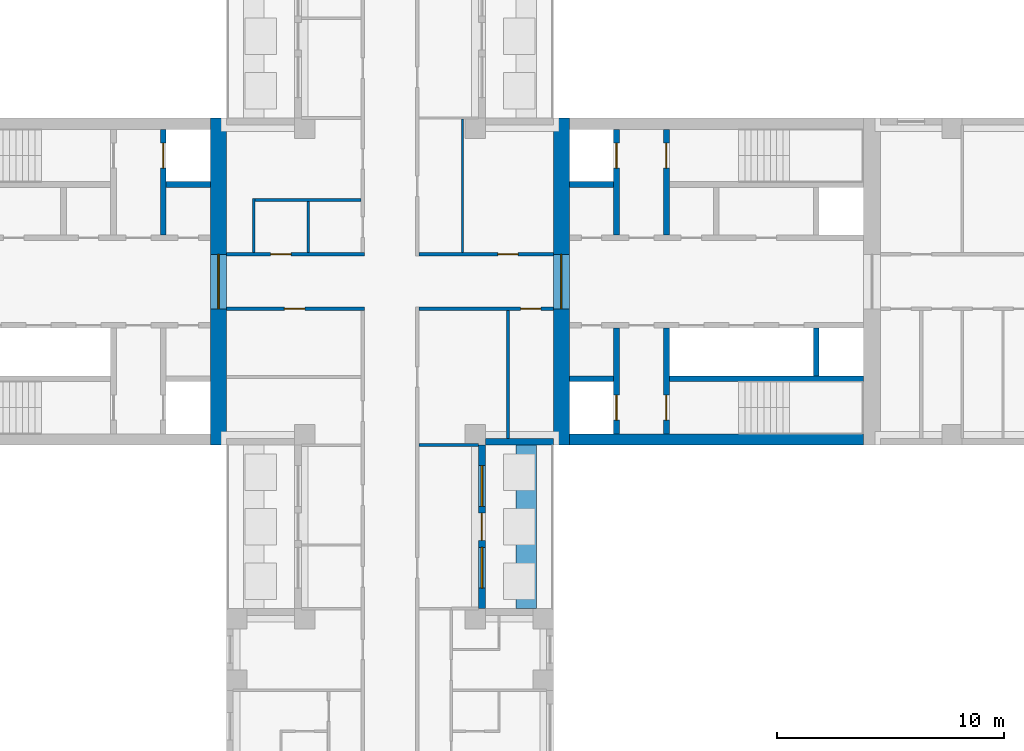
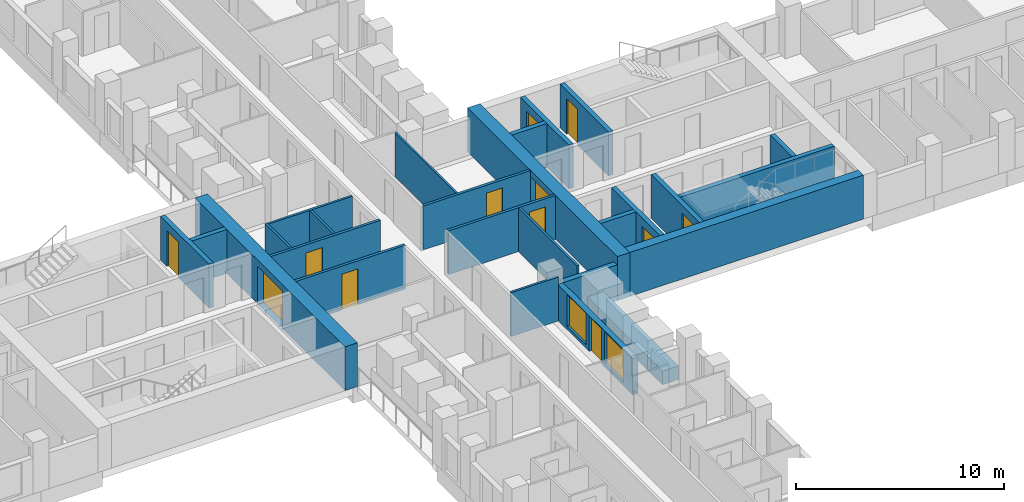
# One storey, part 8 of 16: 26 walls, 12 doors, 2 windows, 14 openings.
"""IFC4 building model written with IfcOpenShell, lengths in metres."""

from ifc_helpers import new_model, si_unit, direction, frame, frame_2d, origin, place, context, subcontext, project, spatial, rectangle, extrude, material, layer, layer_set, type_object, element, fill, save


model = new_model("IFC4")

# Units and contexts
model_context = context("Model", 3, precision=1e-05, world=origin(), true_north=direction((0.0, 1.0)))
body_context = subcontext(model_context, "Body", "Model", "MODEL_VIEW")
ifc_project = project(units=[si_unit("LENGTHUNIT", "METRE"), si_unit("AREAUNIT", "SQUARE_METRE"), si_unit("VOLUMEUNIT", "CUBIC_METRE"), si_unit("PLANEANGLEUNIT", "RADIAN"), si_unit("MASSUNIT", "GRAM", prefix="KILO")], contexts=[model_context])

# Site, building, storey
site_placement = place(None, origin())
site = spatial("IfcSite", under=ifc_project, at=site_placement, CompositionType="ELEMENT")
building_placement = place(site_placement, origin())
building = spatial("IfcBuilding", under=site, at=building_placement, Name="Fustian Cross Tower", CompositionType="ELEMENT")
storey_placement = place(building_placement, frame((0.0, 0.0, 26.699951171875)))
storey = spatial("IfcBuildingStorey", under=building, at=storey_placement, Name="L07", CompositionType="ELEMENT", Elevation=26.699951171875)

# Wall, opening, door
ifc_material_1 = material(Name="Plasterboard on steel stud", Category="steel")
ifc_layer_1 = layer(ifc_material_1, 0.14990234375)
ifc_layer_set_1 = layer_set([ifc_layer_1], Name="Plasterboard on steel stud")
wall_type_1 = type_object("IfcWallType", Name="COMPARTMENT WALL 150 EI 60", PredefinedType="PARTITIONING", material=ifc_layer_set_1)
wall_1_placement = place(storey_placement, frame((-7.199951171875, -1.199951171875, 0.0), z_axis=(0.0, 0.0, 1.0), x_axis=(1.0, 0.0, 0.0)))
wall_1 = element("IfcWall", 1, at=wall_1_placement, inside=storey, type_object=wall_type_1, Name="Partition 15", PredefinedType="PARTITIONING", context=body_context, shape_type="SweptSolid", body=[
    extrude(rectangle(XDim=6.074951171875, YDim=0.14990234375, at=frame_2d((3.03759765625, 0.0))), origin(), (0.0, 0.0, 1.0), 2.574951171875),
])
opening_1_placement = place(wall_1_placement, frame((2.550048828125, 0.0, 0.0)))
opening_1 = element("IfcOpeningElement", 2, at=opening_1_placement, cuts=wall_1, Name="Opening D05008", PredefinedType="OPENING", context=body_context, shape_type="SweptSolid", body=[
    extrude(rectangle(XDim=0.89990234375, YDim=2.10009765625, at=frame_2d((0.449951171875, 1.050048828125))), frame((0.0, 0.0849609375, 0.0), z_axis=(0.0, -1.0, 0.0), x_axis=(1.0, 0.0, 0.0)), (0.0, 0.0, 1.0), 0.169921875),
])
ifc_material_2 = material(Name="Timber fire door set", Category="wood")
door_type_1 = type_object("IfcDoorType", Name="FIRE SWING DOOR 900 FD30S", OperationType="SINGLE_SWING_LEFT", PredefinedType="DOOR", material=ifc_material_2)
door_1_placement = place(opening_1_placement, frame((0.89990234375, 0.0, 0.0), z_axis=(0.0, 0.0, 1.0), x_axis=(-1.0, 0.0, 0.0)))
door_1 = element("IfcDoor", 3, at=door_1_placement, inside=storey, type_object=door_type_1, Name="Door D05008", OperationType="SINGLE_SWING_RIGHT", OverallHeight=2.10009765625, OverallWidth=0.89990234375, PredefinedType="DOOR", context=body_context, shape_type="SweptSolid", body=[
    extrude(rectangle(XDim=0.89990234375, YDim=2.10009765625, at=frame_2d((0.449951171875, 1.050048828125))), frame((0.0, 0.02490234375, 0.0), z_axis=(0.0, -1.0, 0.0), x_axis=(1.0, 0.0, 0.0)), (0.0, 0.0, 1.0), 0.050048828125),
])
fill(opening_1, door_1)

wall_2_placement = place(storey_placement, frame((-7.199951171875, 1.199951171875, 0.0), z_axis=(0.0, 0.0, 1.0), x_axis=(1.0, 0.0, 0.0)))
wall_2 = element("IfcWall", 4, at=wall_2_placement, inside=storey, type_object=wall_type_1, Name="Partition 16", PredefinedType="PARTITIONING", context=body_context, shape_type="SweptSolid", body=[
    extrude(rectangle(XDim=6.074951171875, YDim=0.14990234375, at=frame_2d((3.03759765625, 0.0))), origin(), (0.0, 0.0, 1.0), 2.574951171875),
])
opening_2_placement = place(wall_2_placement, frame((1.949951171875, 0.0, 0.0)))
opening_2 = element("IfcOpeningElement", 5, at=opening_2_placement, cuts=wall_2, Name="Opening D05004", PredefinedType="OPENING", context=body_context, shape_type="SweptSolid", body=[
    extrude(rectangle(XDim=0.89990234375, YDim=2.10009765625, at=frame_2d((0.449951171875, 1.050048828125))), frame((0.0, 0.0849609375, 0.0), z_axis=(0.0, -1.0, 0.0), x_axis=(1.0, 0.0, 0.0)), (0.0, 0.0, 1.0), 0.169921875),
])
door_2_placement = place(opening_2_placement, origin())
door_2 = element("IfcDoor", 6, at=door_2_placement, inside=storey, type_object=door_type_1, Name="Door D05004", OperationType="SINGLE_SWING_LEFT", OverallHeight=2.10009765625, OverallWidth=0.89990234375, PredefinedType="DOOR", context=body_context, shape_type="SweptSolid", body=[
    extrude(rectangle(XDim=0.89990234375, YDim=2.10009765625, at=frame_2d((0.449951171875, 1.050048828125))), frame((0.0, 0.02490234375, 0.0), z_axis=(0.0, -1.0, 0.0), x_axis=(1.0, 0.0, 0.0)), (0.0, 0.0, 1.0), 0.050048828125),
])
fill(opening_2, door_2)

wall_3_placement = place(storey_placement, frame((1.27490234375, -1.199951171875, 0.0), z_axis=(0.0, 0.0, 1.0), x_axis=(1.0, 0.0, 0.0)))
wall_3 = element("IfcWall", 7, at=wall_3_placement, inside=storey, type_object=wall_type_1, Name="Partition 57", PredefinedType="PARTITIONING", context=body_context, shape_type="SweptSolid", body=[
    extrude(rectangle(XDim=5.925048828125, YDim=0.14990234375, at=frame_2d((2.96240234375, 0.0))), origin(), (0.0, 0.0, 1.0), 2.574951171875),
])
opening_3_placement = place(wall_3_placement, frame((4.47509765625, 0.0, 0.0)))
opening_3 = element("IfcOpeningElement", 8, at=opening_3_placement, cuts=wall_3, Name="Opening D05007", PredefinedType="OPENING", context=body_context, shape_type="SweptSolid", body=[
    extrude(rectangle(XDim=0.89990234375, YDim=2.10009765625, at=frame_2d((0.449951171875, 1.050048828125))), frame((0.0, 0.0849609375, 0.0), z_axis=(0.0, -1.0, 0.0), x_axis=(1.0, 0.0, 0.0)), (0.0, 0.0, 1.0), 0.169921875),
])
door_3_placement = place(opening_3_placement, frame((0.89990234375, 0.0, 0.0), z_axis=(0.0, 0.0, 1.0), x_axis=(-1.0, 0.0, 0.0)))
door_3 = element("IfcDoor", 9, at=door_3_placement, inside=storey, type_object=door_type_1, Name="Door D05007", OperationType="SINGLE_SWING_RIGHT", OverallHeight=2.10009765625, OverallWidth=0.89990234375, PredefinedType="DOOR", context=body_context, shape_type="SweptSolid", body=[
    extrude(rectangle(XDim=0.89990234375, YDim=2.10009765625, at=frame_2d((0.449951171875, 1.050048828125))), frame((0.0, 0.02490234375, 0.0), z_axis=(0.0, -1.0, 0.0), x_axis=(1.0, 0.0, 0.0)), (0.0, 0.0, 1.0), 0.050048828125),
])
fill(opening_3, door_3)

wall_4_placement = place(storey_placement, frame((1.27490234375, 1.199951171875, 0.0), z_axis=(0.0, 0.0, 1.0), x_axis=(1.0, 0.0, 0.0)))
wall_4 = element("IfcWall", 10, at=wall_4_placement, inside=storey, type_object=wall_type_1, Name="Partition 59", PredefinedType="PARTITIONING", context=body_context, shape_type="SweptSolid", body=[
    extrude(rectangle(XDim=5.925048828125, YDim=0.14990234375, at=frame_2d((2.96240234375, 0.0))), origin(), (0.0, 0.0, 1.0), 2.574951171875),
])
opening_4_placement = place(wall_4_placement, frame((3.47509765625, 0.0, 0.0)))
opening_4 = element("IfcOpeningElement", 11, at=opening_4_placement, cuts=wall_4, Name="Opening D05002", PredefinedType="OPENING", context=body_context, shape_type="SweptSolid", body=[
    extrude(rectangle(XDim=0.89990234375, YDim=2.10009765625, at=frame_2d((0.449951171875, 1.050048828125))), frame((0.0, 0.0849609375, 0.0), z_axis=(0.0, -1.0, 0.0), x_axis=(1.0, 0.0, 0.0)), (0.0, 0.0, 1.0), 0.169921875),
])
door_4_placement = place(opening_4_placement, origin())
door_4 = element("IfcDoor", 12, at=door_4_placement, inside=storey, type_object=door_type_1, Name="Door D05002", OperationType="SINGLE_SWING_LEFT", OverallHeight=2.10009765625, OverallWidth=0.89990234375, PredefinedType="DOOR", context=body_context, shape_type="SweptSolid", body=[
    extrude(rectangle(XDim=0.89990234375, YDim=2.10009765625, at=frame_2d((0.449951171875, 1.050048828125))), frame((0.0, 0.02490234375, 0.0), z_axis=(0.0, -1.0, 0.0), x_axis=(1.0, 0.0, 0.0)), (0.0, 0.0, 1.0), 0.050048828125),
])
fill(opening_4, door_4)

ifc_material_3 = material(Name="Concrete C80/95", Category="concrete")
ifc_layer_2 = layer(ifc_material_3, 0.699951171875)
ifc_layer_set_2 = layer_set([ifc_layer_2], Name="Concrete C80/95")
wall_type_2 = type_object("IfcWallType", Name="CORE END WALL 700 C80/95", PredefinedType="SHEAR", material=ifc_layer_set_2)
wall_5_placement = place(storey_placement, frame((7.550048828125, -7.199951171875, 0.0), z_axis=(0.0, 0.0, 1.0), x_axis=(0.0, 1.0, 0.0)))
wall_5 = element("IfcWall", 13, at=wall_5_placement, inside=storey, type_object=wall_type_2, Name="Core end wall", PredefinedType="SHEAR", context=body_context, shape_type="SweptSolid", body=[
    extrude(rectangle(XDim=14.39990234375, YDim=0.699951171875, at=frame_2d((7.199951171875, 0.0))), origin(), (0.0, 0.0, 1.0), 2.574951171875),
])
opening_5_placement = place(wall_5_placement, frame((6.0, 0.0, 0.0)))
opening_5 = element("IfcOpeningElement", 14, at=opening_5_placement, cuts=wall_5, Name="Opening CD-05-12", PredefinedType="OPENING", context=body_context, shape_type="SweptSolid", body=[
    extrude(rectangle(XDim=2.39990234375, YDim=2.199951171875, at=frame_2d((1.199951171875, 1.10009765625))), frame((0.0, 0.35986328125, 0.0), z_axis=(0.0, -1.0, 0.0), x_axis=(1.0, 0.0, 0.0)), (0.0, 0.0, 1.0), 0.719970703125),
])
ifc_material_4 = material(Name="Steel", Category="steel")
door_type_2 = type_object("IfcDoorType", Name="FIRE DOOR FD30S DOUBLE 2400X2200", OperationType="DOUBLE_DOOR_DOUBLE_SWING", PredefinedType="DOOR", material=ifc_material_4)
door_5_placement = place(opening_5_placement, frame((2.39990234375, 0.0, 0.0), z_axis=(0.0, 0.0, 1.0), x_axis=(-1.0, 0.0, 0.0)))
door_5 = element("IfcDoor", 15, at=door_5_placement, inside=storey, type_object=door_type_2, Name="Core door CD-05-12", OperationType="DOUBLE_DOOR_DOUBLE_SWING", OverallHeight=2.199951171875, OverallWidth=2.39990234375, PredefinedType="DOOR", context=body_context, shape_type="SweptSolid", body=[
    extrude(rectangle(XDim=2.39990234375, YDim=2.199951171875, at=frame_2d((1.199951171875, 1.10009765625))), frame((0.0, 0.02490234375, 0.0), z_axis=(0.0, -1.0, 0.0), x_axis=(1.0, 0.0, 0.0)), (0.0, 0.0, 1.0), 0.050048828125),
])
fill(opening_5, door_5)

wall_6_placement = place(storey_placement, frame((-7.550048828125, -7.199951171875, 0.0), z_axis=(0.0, 0.0, 1.0), x_axis=(0.0, 1.0, 0.0)))
wall_6 = element("IfcWall", 16, at=wall_6_placement, inside=storey, type_object=wall_type_2, Name="Core end wall", PredefinedType="SHEAR", context=body_context, shape_type="SweptSolid", body=[
    extrude(rectangle(XDim=14.39990234375, YDim=0.699951171875, at=frame_2d((7.199951171875, 0.0))), origin(), (0.0, 0.0, 1.0), 2.574951171875),
])
opening_6_placement = place(wall_6_placement, frame((6.0, 0.0, 0.0)))
opening_6 = element("IfcOpeningElement", 17, at=opening_6_placement, cuts=wall_6, Name="Opening CD-05-27", PredefinedType="OPENING", context=body_context, shape_type="SweptSolid", body=[
    extrude(rectangle(XDim=2.39990234375, YDim=2.199951171875, at=frame_2d((1.199951171875, 1.10009765625))), frame((0.0, 0.35986328125, 0.0), z_axis=(0.0, -1.0, 0.0), x_axis=(1.0, 0.0, 0.0)), (0.0, 0.0, 1.0), 0.719970703125),
])
door_6_placement = place(opening_6_placement, origin())
door_6 = element("IfcDoor", 18, at=door_6_placement, inside=storey, type_object=door_type_2, Name="Core door CD-05-27", OperationType="DOUBLE_DOOR_DOUBLE_SWING", OverallHeight=2.199951171875, OverallWidth=2.39990234375, PredefinedType="DOOR", context=body_context, shape_type="SweptSolid", body=[
    extrude(rectangle(XDim=2.39990234375, YDim=2.199951171875, at=frame_2d((1.199951171875, 1.10009765625))), frame((0.0, 0.02490234375, 0.0), z_axis=(0.0, -1.0, 0.0), x_axis=(1.0, 0.0, 0.0)), (0.0, 0.0, 1.0), 0.050048828125),
])
fill(opening_6, door_6)

# Walls
ifc_material_5 = material(Name="Concrete C80/95", Category="concrete")
ifc_layer_3 = layer(ifc_material_5, 0.5)
ifc_layer_set_3 = layer_set([ifc_layer_3], Name="Concrete C80/95")
wall_type_3 = type_object("IfcWallType", Name="CORE FACADE WALL 500 C80/95", PredefinedType="SHEAR", material=ifc_layer_set_3)
wall_7_placement = place(storey_placement, frame((7.89990234375, -6.949951171875, 0.0), z_axis=(0.0, 0.0, 1.0), x_axis=(1.0, 0.0, 0.0)))
element("IfcWall", 19, at=wall_7_placement, inside=storey, type_object=wall_type_3, Name="Core facade wall", PredefinedType="SHEAR", context=body_context, shape_type="SweptSolid", body=[
    extrude(rectangle(XDim=12.9501953125, YDim=0.5, at=frame_2d((6.47509765625, 0.0))), origin(), (0.0, 0.0, 1.0), 2.574951171875),
])
ifc_material_6 = material(Name="Concrete C50/60", Category="concrete")
ifc_layer_4 = layer(ifc_material_6, 0.25)
ifc_layer_set_4 = layer_set([ifc_layer_4], Name="Concrete C50/60")
wall_type_4 = type_object("IfcWallType", Name="CORE SHAFT WALL 250 C50/60", PredefinedType="SHEAR", material=ifc_layer_set_4)
wall_8_placement = place(storey_placement, frame((7.89990234375, 4.27490234375, 0.0), z_axis=(0.0, 0.0, 1.0), x_axis=(1.0, 0.0, 0.0)))
element("IfcWall", 20, at=wall_8_placement, inside=storey, type_object=wall_type_4, Name="Core shaft wall", PredefinedType="SHEAR", context=body_context, shape_type="SweptSolid", body=[
    extrude(rectangle(XDim=1.9501953125, YDim=0.25, at=frame_2d((0.97509765625, 0.0))), origin(), (0.0, 0.0, 1.0), 2.574951171875),
])

# Wall, opening, door
wall_9_placement = place(storey_placement, frame((9.97509765625, 2.050048828125, 0.0), z_axis=(0.0, 0.0, 1.0), x_axis=(0.0, 1.0, 0.0)))
wall_9 = element("IfcWall", 21, at=wall_9_placement, inside=storey, type_object=wall_type_4, Name="Core shaft wall", PredefinedType="SHEAR", context=body_context, shape_type="SweptSolid", body=[
    extrude(rectangle(XDim=4.64990234375, YDim=0.25, at=frame_2d((2.324951171875, 0.0))), origin(), (0.0, 0.0, 1.0), 2.574951171875),
])
opening_7_placement = place(wall_9_placement, frame((2.949951171875, 0.0, 0.0)))
opening_7 = element("IfcOpeningElement", 22, at=opening_7_placement, cuts=wall_9, Name="Opening LD", PredefinedType="OPENING", context=body_context, shape_type="SweptSolid", body=[
    extrude(rectangle(XDim=1.10009765625, YDim=2.10009765625, at=frame_2d((0.550048828125, 1.050048828125))), frame((0.0, 0.135009765625, 0.0), z_axis=(0.0, -1.0, 0.0), x_axis=(1.0, 0.0, 0.0)), (0.0, 0.0, 1.0), 0.27001953125),
])
ifc_material_7 = material(Name="Stainless steel", Category="steel")
door_type_3 = type_object("IfcDoorType", Name="LIFT LANDING DOOR 1100X2100", OperationType="SLIDING_TO_LEFT", PredefinedType="DOOR", material=ifc_material_7)
door_7_placement = place(opening_7_placement, origin())
door_7 = element("IfcDoor", 23, at=door_7_placement, inside=storey, type_object=door_type_3, Name="Landing door FL1", OperationType="SLIDING_TO_LEFT", OverallHeight=2.10009765625, OverallWidth=1.10009765625, PredefinedType="DOOR", context=body_context, shape_type="SweptSolid", body=[
    extrude(rectangle(XDim=1.10009765625, YDim=2.10009765625, at=frame_2d((0.550048828125, 1.050048828125))), frame((0.0, 0.02490234375, 0.0), z_axis=(0.0, -1.0, 0.0), x_axis=(1.0, 0.0, 0.0)), (0.0, 0.0, 1.0), 0.050048828125),
])
fill(opening_7, door_7)

wall_10_placement = place(storey_placement, frame((12.175048828125, 2.050048828125, 0.0), z_axis=(0.0, 0.0, 1.0), x_axis=(0.0, 1.0, 0.0)))
wall_10 = element("IfcWall", 24, at=wall_10_placement, inside=storey, type_object=wall_type_4, Name="Core shaft wall", PredefinedType="SHEAR", context=body_context, shape_type="SweptSolid", body=[
    extrude(rectangle(XDim=4.64990234375, YDim=0.25, at=frame_2d((2.324951171875, 0.0))), origin(), (0.0, 0.0, 1.0), 2.574951171875),
])
opening_8_placement = place(wall_10_placement, frame((2.949951171875, 0.0, 0.0)))
opening_8 = element("IfcOpeningElement", 25, at=opening_8_placement, cuts=wall_10, Name="Opening CD-05-06", PredefinedType="OPENING", context=body_context, shape_type="SweptSolid", body=[
    extrude(rectangle(XDim=1.10009765625, YDim=2.10009765625, at=frame_2d((0.550048828125, 1.050048828125))), frame((0.0, 0.135009765625, 0.0), z_axis=(0.0, -1.0, 0.0), x_axis=(1.0, 0.0, 0.0)), (0.0, 0.0, 1.0), 0.27001953125),
])
ifc_material_8 = material(Name="Steel", Category="steel")
door_type_4 = type_object("IfcDoorType", Name="FIRE DOOR FD60S 1100X2100", OperationType="SINGLE_SWING_LEFT", PredefinedType="DOOR", material=ifc_material_8)
door_8_placement = place(opening_8_placement, frame((1.10009765625, 0.0, 0.0), z_axis=(0.0, 0.0, 1.0), x_axis=(-1.0, 0.0, 0.0)))
door_8 = element("IfcDoor", 26, at=door_8_placement, inside=storey, type_object=door_type_4, Name="Core door CD-05-06", OperationType="SINGLE_SWING_RIGHT", OverallHeight=2.10009765625, OverallWidth=1.10009765625, PredefinedType="DOOR", context=body_context, shape_type="SweptSolid", body=[
    extrude(rectangle(XDim=1.10009765625, YDim=2.10009765625, at=frame_2d((0.550048828125, 1.050048828125))), frame((0.0, 0.02490234375, 0.0), z_axis=(0.0, -1.0, 0.0), x_axis=(1.0, 0.0, 0.0)), (0.0, 0.0, 1.0), 0.050048828125),
])
fill(opening_8, door_8)

# Walls
wall_11_placement = place(storey_placement, frame((7.89990234375, -4.27490234375, 0.0), z_axis=(0.0, 0.0, 1.0), x_axis=(1.0, 0.0, 0.0)))
element("IfcWall", 27, at=wall_11_placement, inside=storey, type_object=wall_type_4, Name="Core shaft wall", PredefinedType="SHEAR", context=body_context, shape_type="SweptSolid", body=[
    extrude(rectangle(XDim=1.9501953125, YDim=0.25, at=frame_2d((0.97509765625, 0.0))), origin(), (0.0, 0.0, 1.0), 2.574951171875),
])
wall_12_placement = place(storey_placement, frame((12.300048828125, -4.27490234375, 0.0), z_axis=(0.0, 0.0, 1.0), x_axis=(1.0, 0.0, 0.0)))
element("IfcWall", 28, at=wall_12_placement, inside=storey, type_object=wall_type_4, Name="Core shaft wall", PredefinedType="SHEAR", context=body_context, shape_type="SweptSolid", body=[
    extrude(rectangle(XDim=8.550048828125, YDim=0.25, at=frame_2d((4.27490234375, 0.0))), origin(), (0.0, 0.0, 1.0), 2.574951171875),
])

# Wall, opening, door
wall_13_placement = place(storey_placement, frame((9.97509765625, -2.050048828125, 0.0), z_axis=(0.0, 0.0, 1.0), x_axis=(0.0, -1.0, 0.0)))
wall_13 = element("IfcWall", 29, at=wall_13_placement, inside=storey, type_object=wall_type_4, Name="Core shaft wall", PredefinedType="SHEAR", context=body_context, shape_type="SweptSolid", body=[
    extrude(rectangle(XDim=4.64990234375, YDim=0.25, at=frame_2d((2.324951171875, 0.0))), origin(), (0.0, 0.0, 1.0), 2.574951171875),
])
opening_9_placement = place(wall_13_placement, frame((2.949951171875, 0.0, 0.0)))
opening_9 = element("IfcOpeningElement", 30, at=opening_9_placement, cuts=wall_13, Name="Opening LD", PredefinedType="OPENING", context=body_context, shape_type="SweptSolid", body=[
    extrude(rectangle(XDim=1.10009765625, YDim=2.10009765625, at=frame_2d((0.550048828125, 1.050048828125))), frame((0.0, 0.135009765625, 0.0), z_axis=(0.0, -1.0, 0.0), x_axis=(1.0, 0.0, 0.0)), (0.0, 0.0, 1.0), 0.27001953125),
])
door_9_placement = place(opening_9_placement, origin())
door_9 = element("IfcDoor", 31, at=door_9_placement, inside=storey, type_object=door_type_3, Name="Landing door SV1", OperationType="SLIDING_TO_LEFT", OverallHeight=2.10009765625, OverallWidth=1.10009765625, PredefinedType="DOOR", context=body_context, shape_type="SweptSolid", body=[
    extrude(rectangle(XDim=1.10009765625, YDim=2.10009765625, at=frame_2d((0.550048828125, 1.050048828125))), frame((0.0, 0.02490234375, 0.0), z_axis=(0.0, -1.0, 0.0), x_axis=(1.0, 0.0, 0.0)), (0.0, 0.0, 1.0), 0.050048828125),
])
fill(opening_9, door_9)

wall_14_placement = place(storey_placement, frame((12.175048828125, -2.050048828125, 0.0), z_axis=(0.0, 0.0, 1.0), x_axis=(0.0, -1.0, 0.0)))
wall_14 = element("IfcWall", 32, at=wall_14_placement, inside=storey, type_object=wall_type_4, Name="Core shaft wall", PredefinedType="SHEAR", context=body_context, shape_type="SweptSolid", body=[
    extrude(rectangle(XDim=4.64990234375, YDim=0.25, at=frame_2d((2.324951171875, 0.0))), origin(), (0.0, 0.0, 1.0), 2.574951171875),
])
opening_10_placement = place(wall_14_placement, frame((2.949951171875, 0.0, 0.0)))
opening_10 = element("IfcOpeningElement", 33, at=opening_10_placement, cuts=wall_14, Name="Opening CD-05-07", PredefinedType="OPENING", context=body_context, shape_type="SweptSolid", body=[
    extrude(rectangle(XDim=1.10009765625, YDim=2.10009765625, at=frame_2d((0.550048828125, 1.050048828125))), frame((0.0, 0.135009765625, 0.0), z_axis=(0.0, -1.0, 0.0), x_axis=(1.0, 0.0, 0.0)), (0.0, 0.0, 1.0), 0.27001953125),
])
door_10_placement = place(opening_10_placement, origin())
door_10 = element("IfcDoor", 34, at=door_10_placement, inside=storey, type_object=door_type_4, Name="Core door CD-05-07", OperationType="SINGLE_SWING_LEFT", OverallHeight=2.10009765625, OverallWidth=1.10009765625, PredefinedType="DOOR", context=body_context, shape_type="SweptSolid", body=[
    extrude(rectangle(XDim=1.10009765625, YDim=2.10009765625, at=frame_2d((0.550048828125, 1.050048828125))), frame((0.0, 0.02490234375, 0.0), z_axis=(0.0, -1.0, 0.0), x_axis=(1.0, 0.0, 0.0)), (0.0, 0.0, 1.0), 0.050048828125),
])
fill(opening_10, door_10)

# Wall
wall_15_placement = place(storey_placement, frame((-7.89990234375, 4.27490234375, 0.0), z_axis=(0.0, 0.0, 1.0), x_axis=(-1.0, 0.0, 0.0)))
element("IfcWall", 35, at=wall_15_placement, inside=storey, type_object=wall_type_4, Name="Core shaft wall", PredefinedType="SHEAR", context=body_context, shape_type="SweptSolid", body=[
    extrude(rectangle(XDim=1.9501953125, YDim=0.25, at=frame_2d((0.97509765625, 0.0))), origin(), (0.0, 0.0, 1.0), 2.574951171875),
])

# Wall, opening, door
wall_16_placement = place(storey_placement, frame((-9.97509765625, 2.050048828125, 0.0), z_axis=(0.0, 0.0, 1.0), x_axis=(0.0, 1.0, 0.0)))
wall_16 = element("IfcWall", 36, at=wall_16_placement, inside=storey, type_object=wall_type_4, Name="Core shaft wall", PredefinedType="SHEAR", context=body_context, shape_type="SweptSolid", body=[
    extrude(rectangle(XDim=4.64990234375, YDim=0.25, at=frame_2d((2.324951171875, 0.0))), origin(), (0.0, 0.0, 1.0), 2.574951171875),
])
opening_11_placement = place(wall_16_placement, frame((2.949951171875, 0.0, 0.0)))
opening_11 = element("IfcOpeningElement", 37, at=opening_11_placement, cuts=wall_16, Name="Opening LD", PredefinedType="OPENING", context=body_context, shape_type="SweptSolid", body=[
    extrude(rectangle(XDim=1.10009765625, YDim=2.10009765625, at=frame_2d((0.550048828125, 1.050048828125))), frame((0.0, 0.135009765625, 0.0), z_axis=(0.0, -1.0, 0.0), x_axis=(1.0, 0.0, 0.0)), (0.0, 0.0, 1.0), 0.27001953125),
])
door_11_placement = place(opening_11_placement, origin())
door_11 = element("IfcDoor", 38, at=door_11_placement, inside=storey, type_object=door_type_3, Name="Landing door FL1W", OperationType="SLIDING_TO_LEFT", OverallHeight=2.10009765625, OverallWidth=1.10009765625, PredefinedType="DOOR", context=body_context, shape_type="SweptSolid", body=[
    extrude(rectangle(XDim=1.10009765625, YDim=2.10009765625, at=frame_2d((0.550048828125, 1.050048828125))), frame((0.0, 0.02490234375, 0.0), z_axis=(0.0, -1.0, 0.0), x_axis=(1.0, 0.0, 0.0)), (0.0, 0.0, 1.0), 0.050048828125),
])
fill(opening_11, door_11)

# Walls
ifc_material_9 = material(Name="Plasterboard on steel stud", Category="steel")
ifc_layer_5 = layer(ifc_material_9, 0.10009765625)
ifc_layer_set_5 = layer_set([ifc_layer_5], Name="Plasterboard on steel stud")
wall_type_5 = type_object("IfcWallType", Name="PARTITION 100 STUD", PredefinedType="PARTITIONING", material=ifc_layer_set_5)
wall_17_placement = place(storey_placement, frame((3.199951171875, 1.27490234375, 0.0), z_axis=(0.0, 0.0, 1.0), x_axis=(0.0, 1.0, 0.0)))
element("IfcWall", 39, at=wall_17_placement, inside=storey, type_object=wall_type_5, Name="Partition 79", PredefinedType="PARTITIONING", context=body_context, shape_type="SweptSolid", body=[
    extrude(rectangle(XDim=5.875, YDim=0.10009765625, at=frame_2d((2.9375, 0.0))), origin(), (0.0, 0.0, 1.0), 2.574951171875),
])
ifc_material_10 = material(Name="Concrete C40/50", Category="concrete")
ifc_layer_6 = layer(ifc_material_10, 0.89990234375)
ifc_layer_set_6 = layer_set([ifc_layer_6], Name="Concrete C40/50")
wall_type_6 = type_object("IfcWallType", Name="PK1 PLANTER 900", PredefinedType="PARAPET", material=ifc_layer_set_6)
wall_18_placement = place(storey_placement, frame((6.0, -14.39990234375, 0.0), z_axis=(0.0, 0.0, 1.0), x_axis=(0.0, 1.0, 0.0)))
element("IfcWall", 40, at=wall_18_placement, inside=storey, type_object=wall_type_6, Name="PLANTER", PredefinedType="PARAPET", context=body_context, shape_type="SweptSolid", body=[
    extrude(rectangle(XDim=7.199951171875, YDim=0.89990234375, at=frame_2d((3.60009765625, 0.0))), origin(), (0.0, 0.0, 1.0), 0.800048828125),
])
ifc_material_11 = material(Name="Concrete C40/50", Category="concrete")
ifc_layer_7 = layer(ifc_material_11, 0.25)
ifc_layer_set_7 = layer_set([ifc_layer_7], Name="Concrete C40/50")
wall_type_7 = type_object("IfcWallType", Name="SHAFT PARTITION WALL 250 C40/50", PredefinedType="PARTITIONING", material=ifc_layer_set_7)
wall_19_placement = place(storey_placement, frame((18.77490234375, -2.050048828125, 0.0), z_axis=(0.0, 0.0, 1.0), x_axis=(0.0, -1.0, 0.0)))
element("IfcWall", 41, at=wall_19_placement, inside=storey, type_object=wall_type_7, Name="Core shaft wall", PredefinedType="PARTITIONING", context=body_context, shape_type="SweptSolid", body=[
    extrude(rectangle(XDim=2.099853515625, YDim=0.25, at=frame_2d((1.0498046875, 0.0))), origin(), (0.0, 0.0, 1.0), 2.574951171875),
])
ifc_material_12 = material(Name="Plasterboard on steel stud", Category="steel")
ifc_layer_8 = layer(ifc_material_12, 0.125)
ifc_layer_set_8 = layer_set([ifc_layer_8], Name="Plasterboard on steel stud")
wall_type_8 = type_object("IfcWallType", Name="WET WALL 125 STUD", PredefinedType="PARTITIONING", material=ifc_layer_set_8)
wall_20_placement = place(storey_placement, frame((-6.0, 1.27490234375, 0.0), z_axis=(0.0, 0.0, 1.0), x_axis=(0.0, 1.0, 0.0)))
element("IfcWall", 42, at=wall_20_placement, inside=storey, type_object=wall_type_8, Name="Partition 29", PredefinedType="PARTITIONING", context=body_context, shape_type="SweptSolid", body=[
    extrude(rectangle(XDim=2.3876953125, YDim=0.125, at=frame_2d((1.19384765625, 0.0))), origin(), (0.0, 0.0, 1.0), 2.574951171875),
])
wall_21_placement = place(storey_placement, frame((-5.9375, 3.60009765625, 0.0), z_axis=(0.0, 0.0, 1.0), x_axis=(1.0, 0.0, 0.0)))
element("IfcWall", 43, at=wall_21_placement, inside=storey, type_object=wall_type_8, Name="Partition 30", PredefinedType="PARTITIONING", context=body_context, shape_type="SweptSolid", body=[
    extrude(rectangle(XDim=4.66259765625, YDim=0.125, at=frame_2d((2.331298828125, 0.0))), origin(), (0.0, 0.0, 1.0), 2.574951171875),
])
wall_22_placement = place(storey_placement, frame((-3.60009765625, 1.27490234375, 0.0), z_axis=(0.0, 0.0, 1.0), x_axis=(0.0, 1.0, 0.0)))
element("IfcWall", 44, at=wall_22_placement, inside=storey, type_object=wall_type_8, Name="Partition 48", PredefinedType="PARTITIONING", context=body_context, shape_type="SweptSolid", body=[
    extrude(rectangle(XDim=2.2626953125, YDim=0.125, at=frame_2d((1.13134765625, 0.0))), origin(), (0.0, 0.0, 1.0), 2.574951171875),
])
wall_23_placement = place(storey_placement, frame((1.27490234375, -7.199951171875, 0.0), z_axis=(0.0, 0.0, 1.0), x_axis=(1.0, 0.0, 0.0)))
element("IfcWall", 45, at=wall_23_placement, inside=storey, type_object=wall_type_8, Name="Partition 56", PredefinedType="PARTITIONING", context=body_context, shape_type="SweptSolid", body=[
    extrude(rectangle(XDim=2.625, YDim=0.125, at=frame_2d((1.3125, 0.0))), origin(), (0.0, 0.0, 1.0), 2.574951171875),
])
wall_24_placement = place(storey_placement, frame((5.199951171875, -6.89990234375, 0.0), z_axis=(0.0, 0.0, 1.0), x_axis=(0.0, 1.0, 0.0)))
element("IfcWall", 46, at=wall_24_placement, inside=storey, type_object=wall_type_8, Name="Partition 91", PredefinedType="PARTITIONING", context=body_context, shape_type="SweptSolid", body=[
    extrude(rectangle(XDim=5.625, YDim=0.125, at=frame_2d((2.8125, 0.0))), origin(), (0.0, 0.0, 1.0), 2.574951171875),
])

# Wall, openings, door, windows
ifc_material_13 = material(Name="Dark aluminium cladding on insulated backing wall", Category="aluminium")
ifc_layer_9 = layer(ifc_material_13, 0.300048828125)
ifc_layer_set_9 = layer_set([ifc_layer_9], Name="Dark aluminium cladding on insulated backing wall")
wall_type_9 = type_object("IfcWallType", Name="XW1 EXTERNAL WALL 300", PredefinedType="SOLIDWALL", material=ifc_layer_set_9)
wall_25_placement = place(storey_placement, frame((4.050048828125, -14.39990234375, 0.0), z_axis=(0.0, 0.0, 1.0), x_axis=(0.0, 1.0, 0.0)))
wall_25 = element("IfcWall", 47, at=wall_25_placement, inside=storey, type_object=wall_type_9, Name="External wall", PredefinedType="SOLIDWALL", context=body_context, shape_type="SweptSolid", body=[
    extrude(rectangle(XDim=7.199951171875, YDim=0.300048828125, at=frame_2d((3.60009765625, 0.0))), origin(), (0.0, 0.0, 1.0), 2.10009765625),
])
opening_12_placement = place(wall_25_placement, frame((3.0, 0.0, 0.0)))
opening_12 = element("IfcOpeningElement", 48, at=opening_12_placement, cuts=wall_25, Name="Opening XD3", PredefinedType="OPENING", context=body_context, shape_type="SweptSolid", body=[
    extrude(rectangle(XDim=1.199951171875, YDim=2.050048828125, at=frame_2d((0.60009765625, 1.02490234375))), frame((0.0, 0.159912109375, 0.0), z_axis=(0.0, -1.0, 0.0), x_axis=(1.0, 0.0, 0.0)), (0.0, 0.0, 1.0), 0.320068359375),
])
opening_13_placement = place(wall_25_placement, frame((0.89990234375, 0.0, 0.199951171875)))
opening_13 = element("IfcOpeningElement", 49, at=opening_13_placement, cuts=wall_25, Name="Opening WN2", PredefinedType="OPENING", context=body_context, shape_type="SweptSolid", body=[
    extrude(rectangle(XDim=1.800048828125, YDim=1.85009765625, at=frame_2d((0.89990234375, 0.925048828125))), frame((0.0, 0.159912109375, 0.0), z_axis=(0.0, -1.0, 0.0), x_axis=(1.0, 0.0, 0.0)), (0.0, 0.0, 1.0), 0.320068359375),
])
opening_14_placement = place(wall_25_placement, frame((4.5, 0.0, 0.199951171875)))
opening_14 = element("IfcOpeningElement", 50, at=opening_14_placement, cuts=wall_25, Name="Opening WN2", PredefinedType="OPENING", context=body_context, shape_type="SweptSolid", body=[
    extrude(rectangle(XDim=1.800048828125, YDim=1.85009765625, at=frame_2d((0.89990234375, 0.925048828125))), frame((0.0, 0.159912109375, 0.0), z_axis=(0.0, -1.0, 0.0), x_axis=(1.0, 0.0, 0.0)), (0.0, 0.0, 1.0), 0.320068359375),
])
ifc_material_14 = material(Name="Dark anodised aluminium and double glazing", Category="aluminium")
door_type_5 = type_object("IfcDoorType", Name="ED1 BALCONY DOOR 1200X2050", OperationType="SINGLE_SWING_LEFT", PredefinedType="DOOR", material=ifc_material_14)
door_12_placement = place(opening_12_placement, origin())
door_12 = element("IfcDoor", 51, at=door_12_placement, inside=storey, type_object=door_type_5, Name="Balcony door", OperationType="SINGLE_SWING_LEFT", OverallHeight=2.050048828125, OverallWidth=1.199951171875, PredefinedType="DOOR", context=body_context, shape_type="SweptSolid", body=[
    extrude(rectangle(XDim=1.199951171875, YDim=2.050048828125, at=frame_2d((0.60009765625, 1.02490234375))), frame((0.0, 0.02490234375, 0.0), z_axis=(0.0, -1.0, 0.0), x_axis=(1.0, 0.0, 0.0)), (0.0, 0.0, 1.0), 0.050048828125),
])
fill(opening_12, door_12)
ifc_material_15 = material(Name="Dark anodised aluminium and double glazing", Category="aluminium")
window_type = type_object("IfcWindowType", Name="WN2 WINDOW 1800X1850", PartitioningType="SINGLE_PANEL", PredefinedType="WINDOW", material=ifc_material_15)
window_1_placement = place(opening_13_placement, origin())
window_1 = element("IfcWindow", 52, at=window_1_placement, inside=storey, type_object=window_type, Name="Window", OverallHeight=1.85009765625, OverallWidth=1.800048828125, PartitioningType="SINGLE_PANEL", PredefinedType="WINDOW", context=body_context, shape_type="SweptSolid", body=[
    extrude(rectangle(XDim=1.800048828125, YDim=1.85009765625, at=frame_2d((0.89990234375, 0.925048828125))), frame((0.0, 0.030029296875, 0.0), z_axis=(0.0, -1.0, 0.0), x_axis=(1.0, 0.0, 0.0)), (0.0, 0.0, 1.0), 0.06005859375),
])
fill(opening_13, window_1)
window_2_placement = place(opening_14_placement, origin())
window_2 = element("IfcWindow", 53, at=window_2_placement, inside=storey, type_object=window_type, Name="Window", OverallHeight=1.85009765625, OverallWidth=1.800048828125, PartitioningType="SINGLE_PANEL", PredefinedType="WINDOW", context=body_context, shape_type="SweptSolid", body=[
    extrude(rectangle(XDim=1.800048828125, YDim=1.85009765625, at=frame_2d((0.89990234375, 0.925048828125))), frame((0.0, 0.030029296875, 0.0), z_axis=(0.0, -1.0, 0.0), x_axis=(1.0, 0.0, 0.0)), (0.0, 0.0, 1.0), 0.06005859375),
])
fill(opening_14, window_2)

# Wall
wall_26_placement = place(storey_placement, frame((4.199951171875, -7.050048828125, 0.0), z_axis=(0.0, 0.0, 1.0), x_axis=(1.0, 0.0, 0.0)))
element("IfcWall", 54, at=wall_26_placement, inside=storey, type_object=wall_type_9, Name="External wall", PredefinedType="SOLIDWALL", context=body_context, shape_type="SweptSolid", body=[
    extrude(rectangle(XDim=3.0, YDim=0.300048828125, at=frame_2d((1.5, 0.0))), origin(), (0.0, 0.0, 1.0), 2.10009765625),
])

save(model, "model.ifc")
